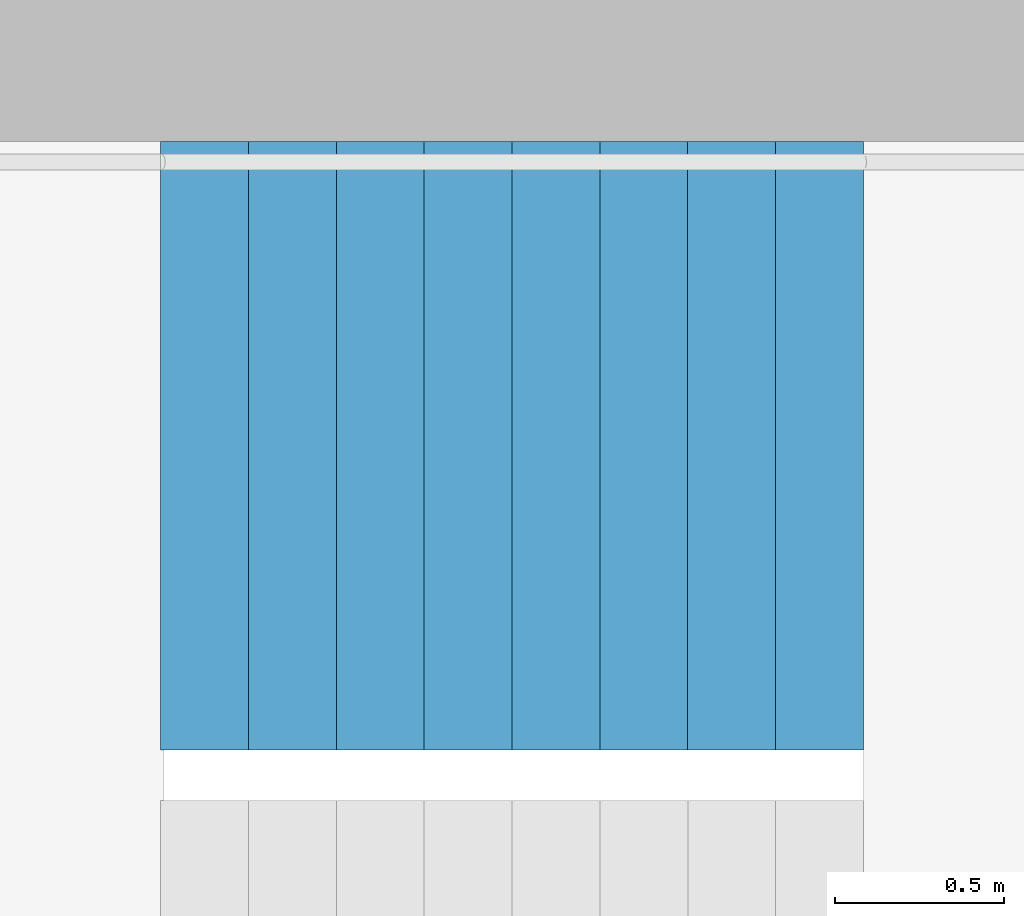
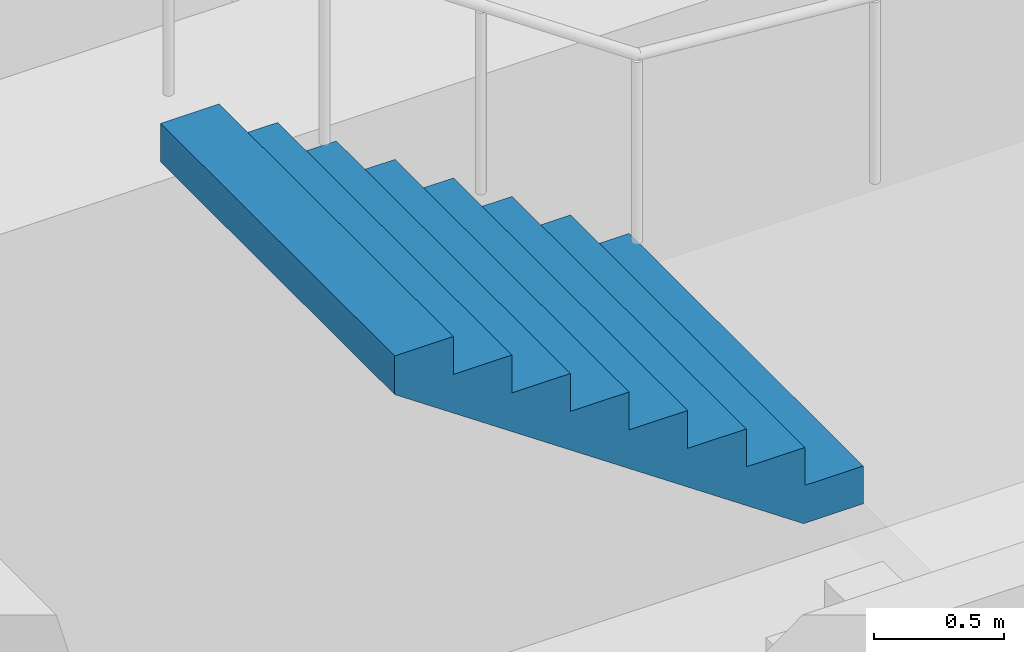
# One storey, part 21 of 26: 1 stair flight, 1 element without a shape of its own.
"""IFC4 building model written with IfcOpenShell, lengths in metres."""

from ifc_helpers import new_model, si_unit, direction, frame, origin, place, context, subcontext, project, spatial, triangles, material, type_object, element, aggregate, save


model = new_model("IFC4")

# Units and contexts
model_context = context("Model", 3, precision=1e-05, world=origin(), true_north=direction((0.0, 1.0)))
body_context = subcontext(model_context, "Body", "Model", "MODEL_VIEW")
ifc_project = project(units=[si_unit("LENGTHUNIT", "METRE"), si_unit("AREAUNIT", "SQUARE_METRE"), si_unit("VOLUMEUNIT", "CUBIC_METRE"), si_unit("PLANEANGLEUNIT", "RADIAN"), si_unit("MASSUNIT", "GRAM", prefix="KILO")], contexts=[model_context])

# Site, building, storey
site_placement = place(None, origin())
site = spatial("IfcSite", under=ifc_project, at=site_placement, CompositionType="ELEMENT")
building_placement = place(site_placement, origin())
building = spatial("IfcBuilding", under=site, at=building_placement, Name="Hakoniwa Tower and Hamabe Station Hall", CompositionType="ELEMENT")
storey_placement = place(building_placement, frame((0.0, 0.0, 189.800048828125)))
storey = spatial("IfcBuildingStorey", under=building, at=storey_placement, Name="L53", CompositionType="ELEMENT", Elevation=189.800048828125)

# Stair, stair flight
ifc_material_1 = material(Name="Concrete C40", Category="concrete")
stair_type = type_object("IfcStairType", Name="ESCAPE STAIR 1800", PredefinedType="HALF_TURN_STAIR", material=ifc_material_1)
stair_placement = place(storey_placement, origin())
stair = element("IfcStair", 1, at=stair_placement, inside=storey, type_object=stair_type, Name="Escape stair ST-1 L53", PredefinedType="HALF_TURN_STAIR")
ifc_material_2 = material(Name="Concrete C40", Category="concrete")
stair_flight_type = type_object("IfcStairFlightType", Name="STAIR FLIGHT 1800", PredefinedType="STRAIGHT", material=ifc_material_2)
stair_flight_placement = place(storey_placement, frame((-22.320068359375, 6.60009765625, 1.599853515625), z_axis=(0.0, 0.0, 1.0), x_axis=(-1.0, 0.0, 0.0)))
stair_flight = element("IfcStairFlight", 2, at=stair_flight_placement, type_object=stair_flight_type, Name="ST-1 flight 2", NumberOfRisers=9, NumberOfTreads=8, PredefinedType="STRAIGHT", RiserHeight=0.177777778, TreadLength=0.26, context=body_context, shape_type="Tessellation", body=[
    triangles([(0.0, 0.89990234375, 0.0), (0.260009765625, 0.89990234375, 0.0), (0.265625, 0.89990234375, 0.0), (0.52001953125, 0.89990234375, 0.174072265625), (0.780029296875, 0.89990234375, 0.351806640625), (1.0400390625, 0.89990234375, 0.529541015625), (1.300048828125, 0.89990234375, 0.707275390625), (1.56005859375, 0.89990234375, 0.885009765625), (1.820068359375, 0.89990234375, 1.062744140625), (2.080078125, 0.89990234375, 1.24072265625), (2.080078125, 0.89990234375, 1.422119140625), (1.820068359375, 0.89990234375, 1.422119140625), (1.820068359375, 0.89990234375, 1.244384765625), (1.56005859375, 0.89990234375, 1.244384765625), (1.56005859375, 0.89990234375, 1.066650390625), (1.300048828125, 0.89990234375, 1.066650390625), (1.300048828125, 0.89990234375, 0.888916015625), (1.0400390625, 0.89990234375, 0.888916015625), (1.0400390625, 0.89990234375, 0.711181640625), (0.780029296875, 0.89990234375, 0.711181640625), (0.780029296875, 0.89990234375, 0.533447265625), (0.52001953125, 0.89990234375, 0.533447265625), (0.52001953125, 0.89990234375, 0.35546875), (0.265625, 0.89990234375, 0.35546875), (0.260009765625, 0.89990234375, 0.35546875), (0.260009765625, 0.89990234375, 0.177734375), (0.0, 0.89990234375, 0.177734375), (0.0, 0.06005859375, 0.0), (0.260009765625, 0.06005859375, 0.0), (0.265625, 0.06005859375, 0.0), (0.52001953125, 0.06005859375, 0.174072265625), (0.780029296875, 0.06005859375, 0.351806640625), (1.0400390625, 0.06005859375, 0.529541015625), (1.300048828125, 0.06005859375, 0.707275390625), (1.56005859375, 0.06005859375, 0.885009765625), (1.820068359375, 0.06005859375, 1.062744140625), (2.080078125, 0.06005859375, 1.24072265625), (2.080078125, 0.06005859375, 1.422119140625), (1.820068359375, 0.06005859375, 1.422119140625), (1.820068359375, 0.06005859375, 1.244384765625), (1.56005859375, 0.06005859375, 1.244384765625), (1.56005859375, 0.06005859375, 1.066650390625), (1.300048828125, 0.06005859375, 1.066650390625), (1.300048828125, 0.06005859375, 0.888916015625), (1.0400390625, 0.06005859375, 0.888916015625), (1.0400390625, 0.06005859375, 0.711181640625), (0.780029296875, 0.06005859375, 0.711181640625), (0.780029296875, 0.06005859375, 0.533447265625), (0.52001953125, 0.06005859375, 0.533447265625), (0.52001953125, 0.06005859375, 0.35546875), (0.265625, 0.06005859375, 0.35546875), (0.260009765625, 0.06005859375, 0.35546875), (0.260009765625, 0.06005859375, 0.177734375), (0.0, 0.06005859375, 0.177734375), (0.0, 0.04296875, 0.0), (0.260009765625, 0.04296875, 0.0), (0.265625, 0.04296875, 0.0), (0.52001953125, 0.04296875, 0.174072265625), (0.780029296875, 0.04296875, 0.351806640625), (1.0400390625, 0.04296875, 0.529541015625), (1.300048828125, 0.04296875, 0.707275390625), (1.56005859375, 0.04296875, 0.885009765625), (1.820068359375, 0.04296875, 1.062744140625), (2.080078125, 0.04296875, 1.24072265625), (2.080078125, 0.04296875, 1.422119140625), (1.820068359375, 0.04296875, 1.422119140625), (1.820068359375, 0.04296875, 1.244384765625), (1.56005859375, 0.04296875, 1.244384765625), (1.56005859375, 0.04296875, 1.066650390625), (1.300048828125, 0.04296875, 1.066650390625), (1.300048828125, 0.04296875, 0.888916015625), (1.0400390625, 0.04296875, 0.888916015625), (1.0400390625, 0.04296875, 0.711181640625), (0.780029296875, 0.04296875, 0.711181640625), (0.780029296875, 0.04296875, 0.533447265625), (0.52001953125, 0.04296875, 0.533447265625), (0.52001953125, 0.04296875, 0.35546875), (0.265625, 0.04296875, 0.35546875), (0.260009765625, 0.04296875, 0.35546875), (0.260009765625, 0.04296875, 0.177734375), (0.0, 0.04296875, 0.177734375), (0.0, 0.025634765625, 0.0), (0.260009765625, 0.025634765625, 0.0), (0.265625, 0.025634765625, 0.0), (0.52001953125, 0.025634765625, 0.174072265625), (0.780029296875, 0.025634765625, 0.351806640625), (1.0400390625, 0.025634765625, 0.529541015625), (1.300048828125, 0.025634765625, 0.707275390625), (1.56005859375, 0.025634765625, 0.885009765625), (1.820068359375, 0.025634765625, 1.062744140625), (2.080078125, 0.025634765625, 1.24072265625), (2.080078125, 0.025634765625, 1.422119140625), (1.820068359375, 0.025634765625, 1.422119140625), (1.820068359375, 0.025634765625, 1.244384765625), (1.56005859375, 0.025634765625, 1.244384765625), (1.56005859375, 0.025634765625, 1.066650390625), (1.300048828125, 0.025634765625, 1.066650390625), (1.300048828125, 0.025634765625, 0.888916015625), (1.0400390625, 0.025634765625, 0.888916015625), (1.0400390625, 0.025634765625, 0.711181640625), (0.780029296875, 0.025634765625, 0.711181640625), (0.780029296875, 0.025634765625, 0.533447265625), (0.52001953125, 0.025634765625, 0.533447265625), (0.52001953125, 0.025634765625, 0.35546875), (0.265625, 0.025634765625, 0.35546875), (0.260009765625, 0.025634765625, 0.35546875), (0.260009765625, 0.025634765625, 0.177734375), (0.0, 0.025634765625, 0.177734375), (0.0, 0.008544921875, 0.0), (0.260009765625, 0.008544921875, 0.0), (0.265625, 0.008544921875, 0.0), (0.52001953125, 0.008544921875, 0.174072265625), (0.780029296875, 0.008544921875, 0.351806640625), (1.0400390625, 0.008544921875, 0.529541015625), (1.300048828125, 0.008544921875, 0.707275390625), (1.56005859375, 0.008544921875, 0.885009765625), (1.820068359375, 0.008544921875, 1.062744140625), (2.080078125, 0.008544921875, 1.24072265625), (2.080078125, 0.008544921875, 1.422119140625), (1.820068359375, 0.008544921875, 1.422119140625), (1.820068359375, 0.008544921875, 1.244384765625), (1.56005859375, 0.008544921875, 1.244384765625), (1.56005859375, 0.008544921875, 1.066650390625), (1.300048828125, 0.008544921875, 1.066650390625), (1.300048828125, 0.008544921875, 0.888916015625), (1.0400390625, 0.008544921875, 0.888916015625), (1.0400390625, 0.008544921875, 0.711181640625), (0.780029296875, 0.008544921875, 0.711181640625), (0.780029296875, 0.008544921875, 0.533447265625), (0.52001953125, 0.008544921875, 0.533447265625), (0.52001953125, 0.008544921875, 0.35546875), (0.265625, 0.008544921875, 0.35546875), (0.260009765625, 0.008544921875, 0.35546875), (0.260009765625, 0.008544921875, 0.177734375), (0.0, 0.008544921875, 0.177734375), (0.0, -0.008544921875, 0.0), (0.260009765625, -0.008544921875, 0.0), (0.265625, -0.008544921875, 0.0), (0.52001953125, -0.008544921875, 0.174072265625), (0.780029296875, -0.008544921875, 0.351806640625), (1.0400390625, -0.008544921875, 0.529541015625), (1.300048828125, -0.008544921875, 0.707275390625), (1.56005859375, -0.008544921875, 0.885009765625), (1.820068359375, -0.008544921875, 1.062744140625), (2.080078125, -0.008544921875, 1.24072265625), (2.080078125, -0.008544921875, 1.422119140625), (1.820068359375, -0.008544921875, 1.422119140625), (1.820068359375, -0.008544921875, 1.244384765625), (1.56005859375, -0.008544921875, 1.244384765625), (1.56005859375, -0.008544921875, 1.066650390625), (1.300048828125, -0.008544921875, 1.066650390625), (1.300048828125, -0.008544921875, 0.888916015625), (1.0400390625, -0.008544921875, 0.888916015625), (1.0400390625, -0.008544921875, 0.711181640625), (0.780029296875, -0.008544921875, 0.711181640625), (0.780029296875, -0.008544921875, 0.533447265625), (0.52001953125, -0.008544921875, 0.533447265625), (0.52001953125, -0.008544921875, 0.35546875), (0.265625, -0.008544921875, 0.35546875), (0.260009765625, -0.008544921875, 0.35546875), (0.260009765625, -0.008544921875, 0.177734375), (0.0, -0.008544921875, 0.177734375), (0.0, -0.025634765625, 0.0), (0.260009765625, -0.025634765625, 0.0), (0.265625, -0.025634765625, 0.0), (0.52001953125, -0.025634765625, 0.174072265625), (0.780029296875, -0.025634765625, 0.351806640625), (1.0400390625, -0.025634765625, 0.529541015625), (1.300048828125, -0.025634765625, 0.707275390625), (1.56005859375, -0.025634765625, 0.885009765625), (1.820068359375, -0.025634765625, 1.062744140625), (2.080078125, -0.025634765625, 1.24072265625), (2.080078125, -0.025634765625, 1.422119140625), (1.820068359375, -0.025634765625, 1.422119140625), (1.820068359375, -0.025634765625, 1.244384765625), (1.56005859375, -0.025634765625, 1.244384765625), (1.56005859375, -0.025634765625, 1.066650390625), (1.300048828125, -0.025634765625, 1.066650390625), (1.300048828125, -0.025634765625, 0.888916015625), (1.0400390625, -0.025634765625, 0.888916015625), (1.0400390625, -0.025634765625, 0.711181640625), (0.780029296875, -0.025634765625, 0.711181640625), (0.780029296875, -0.025634765625, 0.533447265625), (0.52001953125, -0.025634765625, 0.533447265625), (0.52001953125, -0.025634765625, 0.35546875), (0.265625, -0.025634765625, 0.35546875), (0.260009765625, -0.025634765625, 0.35546875), (0.260009765625, -0.025634765625, 0.177734375), (0.0, -0.025634765625, 0.177734375), (0.0, -0.04296875, 0.0), (0.260009765625, -0.04296875, 0.0), (0.265625, -0.04296875, 0.0), (0.52001953125, -0.04296875, 0.174072265625), (0.780029296875, -0.04296875, 0.351806640625), (1.0400390625, -0.04296875, 0.529541015625), (1.300048828125, -0.04296875, 0.707275390625), (1.56005859375, -0.04296875, 0.885009765625), (1.820068359375, -0.04296875, 1.062744140625), (2.080078125, -0.04296875, 1.24072265625), (2.080078125, -0.04296875, 1.422119140625), (1.820068359375, -0.04296875, 1.422119140625), (1.820068359375, -0.04296875, 1.244384765625), (1.56005859375, -0.04296875, 1.244384765625), (1.56005859375, -0.04296875, 1.066650390625), (1.300048828125, -0.04296875, 1.066650390625), (1.300048828125, -0.04296875, 0.888916015625), (1.0400390625, -0.04296875, 0.888916015625), (1.0400390625, -0.04296875, 0.711181640625), (0.780029296875, -0.04296875, 0.711181640625), (0.780029296875, -0.04296875, 0.533447265625), (0.52001953125, -0.04296875, 0.533447265625), (0.52001953125, -0.04296875, 0.35546875), (0.265625, -0.04296875, 0.35546875), (0.260009765625, -0.04296875, 0.35546875), (0.260009765625, -0.04296875, 0.177734375), (0.0, -0.04296875, 0.177734375), (0.0, -0.06005859375, 0.0), (0.260009765625, -0.06005859375, 0.0), (0.265625, -0.06005859375, 0.0), (0.52001953125, -0.06005859375, 0.174072265625), (0.780029296875, -0.06005859375, 0.351806640625), (1.0400390625, -0.06005859375, 0.529541015625), (1.300048828125, -0.06005859375, 0.707275390625), (1.56005859375, -0.06005859375, 0.885009765625), (1.820068359375, -0.06005859375, 1.062744140625), (2.080078125, -0.06005859375, 1.24072265625), (2.080078125, -0.06005859375, 1.422119140625), (1.820068359375, -0.06005859375, 1.422119140625), (1.820068359375, -0.06005859375, 1.244384765625), (1.56005859375, -0.06005859375, 1.244384765625), (1.56005859375, -0.06005859375, 1.066650390625), (1.300048828125, -0.06005859375, 1.066650390625), (1.300048828125, -0.06005859375, 0.888916015625), (1.0400390625, -0.06005859375, 0.888916015625), (1.0400390625, -0.06005859375, 0.711181640625), (0.780029296875, -0.06005859375, 0.711181640625), (0.780029296875, -0.06005859375, 0.533447265625), (0.52001953125, -0.06005859375, 0.533447265625), (0.52001953125, -0.06005859375, 0.35546875), (0.265625, -0.06005859375, 0.35546875), (0.260009765625, -0.06005859375, 0.35546875), (0.260009765625, -0.06005859375, 0.177734375), (0.0, -0.06005859375, 0.177734375), (0.0, -0.89990234375, 0.0), (0.260009765625, -0.89990234375, 0.0), (0.265625, -0.89990234375, 0.0), (0.52001953125, -0.89990234375, 0.174072265625), (0.780029296875, -0.89990234375, 0.351806640625), (1.0400390625, -0.89990234375, 0.529541015625), (1.300048828125, -0.89990234375, 0.707275390625), (1.56005859375, -0.89990234375, 0.885009765625), (1.820068359375, -0.89990234375, 1.062744140625), (2.080078125, -0.89990234375, 1.24072265625), (2.080078125, -0.89990234375, 1.422119140625), (1.820068359375, -0.89990234375, 1.422119140625), (1.820068359375, -0.89990234375, 1.244384765625), (1.56005859375, -0.89990234375, 1.244384765625), (1.56005859375, -0.89990234375, 1.066650390625), (1.300048828125, -0.89990234375, 1.066650390625), (1.300048828125, -0.89990234375, 0.888916015625), (1.0400390625, -0.89990234375, 0.888916015625), (1.0400390625, -0.89990234375, 0.711181640625), (0.780029296875, -0.89990234375, 0.711181640625), (0.780029296875, -0.89990234375, 0.533447265625), (0.52001953125, -0.89990234375, 0.533447265625), (0.52001953125, -0.89990234375, 0.35546875), (0.265625, -0.89990234375, 0.35546875), (0.260009765625, -0.89990234375, 0.35546875), (0.260009765625, -0.89990234375, 0.177734375), (0.0, -0.89990234375, 0.177734375)], [[2, 27, 26], [245, 269, 270], [2, 1, 27], [245, 270, 244], [3, 25, 24], [246, 267, 268], [3, 26, 25], [246, 268, 269], [3, 2, 26], [246, 269, 245], [4, 24, 23], [247, 266, 267], [4, 3, 24], [247, 267, 246], [5, 22, 21], [248, 264, 265], [5, 23, 22], [248, 265, 266], [5, 4, 23], [248, 266, 247], [6, 20, 19], [249, 262, 263], [6, 21, 20], [249, 263, 264], [6, 5, 21], [249, 264, 248], [7, 18, 17], [250, 260, 261], [7, 19, 18], [250, 261, 262], [7, 6, 19], [250, 262, 249], [8, 16, 15], [251, 258, 259], [8, 17, 16], [251, 259, 260], [8, 7, 17], [251, 260, 250], [9, 14, 13], [252, 256, 257], [9, 15, 14], [252, 257, 258], [9, 8, 15], [252, 258, 251], [10, 12, 11], [253, 254, 255], [10, 13, 12], [253, 255, 256], [10, 9, 13], [253, 256, 252], [1, 2, 29], [1, 29, 28], [28, 29, 56], [28, 56, 55], [55, 56, 83], [55, 83, 82], [82, 83, 110], [82, 110, 109], [109, 110, 137], [109, 137, 136], [136, 137, 164], [136, 164, 163], [163, 164, 191], [163, 191, 190], [190, 191, 218], [190, 218, 217], [217, 218, 245], [217, 245, 244], [2, 3, 30], [2, 30, 29], [29, 30, 57], [29, 57, 56], [56, 57, 84], [56, 84, 83], [83, 84, 111], [83, 111, 110], [110, 111, 138], [110, 138, 137], [137, 138, 165], [137, 165, 164], [164, 165, 192], [164, 192, 191], [191, 192, 219], [191, 219, 218], [218, 219, 246], [218, 246, 245], [3, 4, 31], [3, 31, 30], [30, 31, 58], [30, 58, 57], [57, 58, 85], [57, 85, 84], [84, 85, 112], [84, 112, 111], [111, 112, 139], [111, 139, 138], [138, 139, 166], [138, 166, 165], [165, 166, 193], [165, 193, 192], [192, 193, 220], [192, 220, 219], [219, 220, 247], [219, 247, 246], [4, 5, 32], [4, 32, 31], [31, 32, 59], [31, 59, 58], [58, 59, 86], [58, 86, 85], [85, 86, 113], [85, 113, 112], [112, 113, 140], [112, 140, 139], [139, 140, 167], [139, 167, 166], [166, 167, 194], [166, 194, 193], [193, 194, 221], [193, 221, 220], [220, 221, 248], [220, 248, 247], [5, 6, 33], [5, 33, 32], [32, 33, 60], [32, 60, 59], [59, 60, 87], [59, 87, 86], [86, 87, 114], [86, 114, 113], [113, 114, 141], [113, 141, 140], [140, 141, 168], [140, 168, 167], [167, 168, 195], [167, 195, 194], [194, 195, 222], [194, 222, 221], [221, 222, 249], [221, 249, 248], [6, 7, 34], [6, 34, 33], [33, 34, 61], [33, 61, 60], [60, 61, 88], [60, 88, 87], [87, 88, 115], [87, 115, 114], [114, 115, 142], [114, 142, 141], [141, 142, 169], [141, 169, 168], [168, 169, 196], [168, 196, 195], [195, 196, 223], [195, 223, 222], [222, 223, 250], [222, 250, 249], [7, 8, 35], [7, 35, 34], [34, 35, 62], [34, 62, 61], [61, 62, 89], [61, 89, 88], [88, 89, 116], [88, 116, 115], [115, 116, 143], [115, 143, 142], [142, 143, 170], [142, 170, 169], [169, 170, 197], [169, 197, 196], [196, 197, 224], [196, 224, 223], [223, 224, 251], [223, 251, 250], [8, 9, 36], [8, 36, 35], [35, 36, 63], [35, 63, 62], [62, 63, 90], [62, 90, 89], [89, 90, 117], [89, 117, 116], [116, 117, 144], [116, 144, 143], [143, 144, 171], [143, 171, 170], [170, 171, 198], [170, 198, 197], [197, 198, 225], [197, 225, 224], [224, 225, 252], [224, 252, 251], [9, 10, 37], [9, 37, 36], [36, 37, 64], [36, 64, 63], [63, 64, 91], [63, 91, 90], [90, 91, 118], [90, 118, 117], [117, 118, 145], [117, 145, 144], [144, 145, 172], [144, 172, 171], [171, 172, 199], [171, 199, 198], [198, 199, 226], [198, 226, 225], [225, 226, 253], [225, 253, 252], [10, 11, 38], [10, 38, 37], [37, 38, 65], [37, 65, 64], [64, 65, 92], [64, 92, 91], [91, 92, 119], [91, 119, 118], [118, 119, 146], [118, 146, 145], [145, 146, 173], [145, 173, 172], [172, 173, 200], [172, 200, 199], [199, 200, 227], [199, 227, 226], [226, 227, 254], [226, 254, 253], [11, 12, 39], [11, 39, 38], [38, 39, 66], [38, 66, 65], [65, 66, 93], [65, 93, 92], [92, 93, 120], [92, 120, 119], [119, 120, 147], [119, 147, 146], [146, 147, 174], [146, 174, 173], [173, 174, 201], [173, 201, 200], [200, 201, 228], [200, 228, 227], [227, 228, 255], [227, 255, 254], [12, 13, 40], [12, 40, 39], [39, 40, 67], [39, 67, 66], [66, 67, 94], [66, 94, 93], [93, 94, 121], [93, 121, 120], [120, 121, 148], [120, 148, 147], [147, 148, 175], [147, 175, 174], [174, 175, 202], [174, 202, 201], [201, 202, 229], [201, 229, 228], [228, 229, 256], [228, 256, 255], [13, 14, 41], [13, 41, 40], [40, 41, 68], [40, 68, 67], [67, 68, 95], [67, 95, 94], [94, 95, 122], [94, 122, 121], [121, 122, 149], [121, 149, 148], [148, 149, 176], [148, 176, 175], [175, 176, 203], [175, 203, 202], [202, 203, 230], [202, 230, 229], [229, 230, 257], [229, 257, 256], [14, 15, 42], [14, 42, 41], [41, 42, 69], [41, 69, 68], [68, 69, 96], [68, 96, 95], [95, 96, 123], [95, 123, 122], [122, 123, 150], [122, 150, 149], [149, 150, 177], [149, 177, 176], [176, 177, 204], [176, 204, 203], [203, 204, 231], [203, 231, 230], [230, 231, 258], [230, 258, 257], [15, 16, 43], [15, 43, 42], [42, 43, 70], [42, 70, 69], [69, 70, 97], [69, 97, 96], [96, 97, 124], [96, 124, 123], [123, 124, 151], [123, 151, 150], [150, 151, 178], [150, 178, 177], [177, 178, 205], [177, 205, 204], [204, 205, 232], [204, 232, 231], [231, 232, 259], [231, 259, 258], [16, 17, 44], [16, 44, 43], [43, 44, 71], [43, 71, 70], [70, 71, 98], [70, 98, 97], [97, 98, 125], [97, 125, 124], [124, 125, 152], [124, 152, 151], [151, 152, 179], [151, 179, 178], [178, 179, 206], [178, 206, 205], [205, 206, 233], [205, 233, 232], [232, 233, 260], [232, 260, 259], [17, 18, 45], [17, 45, 44], [44, 45, 72], [44, 72, 71], [71, 72, 99], [71, 99, 98], [98, 99, 126], [98, 126, 125], [125, 126, 153], [125, 153, 152], [152, 153, 180], [152, 180, 179], [179, 180, 207], [179, 207, 206], [206, 207, 234], [206, 234, 233], [233, 234, 261], [233, 261, 260], [18, 19, 46], [18, 46, 45], [45, 46, 73], [45, 73, 72], [72, 73, 100], [72, 100, 99], [99, 100, 127], [99, 127, 126], [126, 127, 154], [126, 154, 153], [153, 154, 181], [153, 181, 180], [180, 181, 208], [180, 208, 207], [207, 208, 235], [207, 235, 234], [234, 235, 262], [234, 262, 261], [19, 20, 47], [19, 47, 46], [46, 47, 74], [46, 74, 73], [73, 74, 101], [73, 101, 100], [100, 101, 128], [100, 128, 127], [127, 128, 155], [127, 155, 154], [154, 155, 182], [154, 182, 181], [181, 182, 209], [181, 209, 208], [208, 209, 236], [208, 236, 235], [235, 236, 263], [235, 263, 262], [20, 21, 48], [20, 48, 47], [47, 48, 75], [47, 75, 74], [74, 75, 102], [74, 102, 101], [101, 102, 129], [101, 129, 128], [128, 129, 156], [128, 156, 155], [155, 156, 183], [155, 183, 182], [182, 183, 210], [182, 210, 209], [209, 210, 237], [209, 237, 236], [236, 237, 264], [236, 264, 263], [21, 22, 49], [21, 49, 48], [48, 49, 76], [48, 76, 75], [75, 76, 103], [75, 103, 102], [102, 103, 130], [102, 130, 129], [129, 130, 157], [129, 157, 156], [156, 157, 184], [156, 184, 183], [183, 184, 211], [183, 211, 210], [210, 211, 238], [210, 238, 237], [237, 238, 265], [237, 265, 264], [22, 23, 50], [22, 50, 49], [49, 50, 77], [49, 77, 76], [76, 77, 104], [76, 104, 103], [103, 104, 131], [103, 131, 130], [130, 131, 158], [130, 158, 157], [157, 158, 185], [157, 185, 184], [184, 185, 212], [184, 212, 211], [211, 212, 239], [211, 239, 238], [238, 239, 266], [238, 266, 265], [23, 24, 51], [23, 51, 50], [50, 51, 78], [50, 78, 77], [77, 78, 105], [77, 105, 104], [104, 105, 132], [104, 132, 131], [131, 132, 159], [131, 159, 158], [158, 159, 186], [158, 186, 185], [185, 186, 213], [185, 213, 212], [212, 213, 240], [212, 240, 239], [239, 240, 267], [239, 267, 266], [24, 25, 52], [24, 52, 51], [51, 52, 79], [51, 79, 78], [78, 79, 106], [78, 106, 105], [105, 106, 133], [105, 133, 132], [132, 133, 160], [132, 160, 159], [159, 160, 187], [159, 187, 186], [186, 187, 214], [186, 214, 213], [213, 214, 241], [213, 241, 240], [240, 241, 268], [240, 268, 267], [25, 26, 53], [25, 53, 52], [52, 53, 80], [52, 80, 79], [79, 80, 107], [79, 107, 106], [106, 107, 134], [106, 134, 133], [133, 134, 161], [133, 161, 160], [160, 161, 188], [160, 188, 187], [187, 188, 215], [187, 215, 214], [214, 215, 242], [214, 242, 241], [241, 242, 269], [241, 269, 268], [26, 27, 54], [26, 54, 53], [53, 54, 81], [53, 81, 80], [80, 81, 108], [80, 108, 107], [107, 108, 135], [107, 135, 134], [134, 135, 162], [134, 162, 161], [161, 162, 189], [161, 189, 188], [188, 189, 216], [188, 216, 215], [215, 216, 243], [215, 243, 242], [242, 243, 270], [242, 270, 269], [27, 1, 28], [27, 28, 54], [54, 28, 55], [54, 55, 81], [81, 55, 82], [81, 82, 108], [108, 82, 109], [108, 109, 135], [135, 109, 136], [135, 136, 162], [162, 136, 163], [162, 163, 189], [189, 163, 190], [189, 190, 216], [216, 190, 217], [216, 217, 243], [243, 217, 244], [243, 244, 270]], closed=True),
])
aggregate(stair, [stair_flight])

save(model, "model.ifc")
